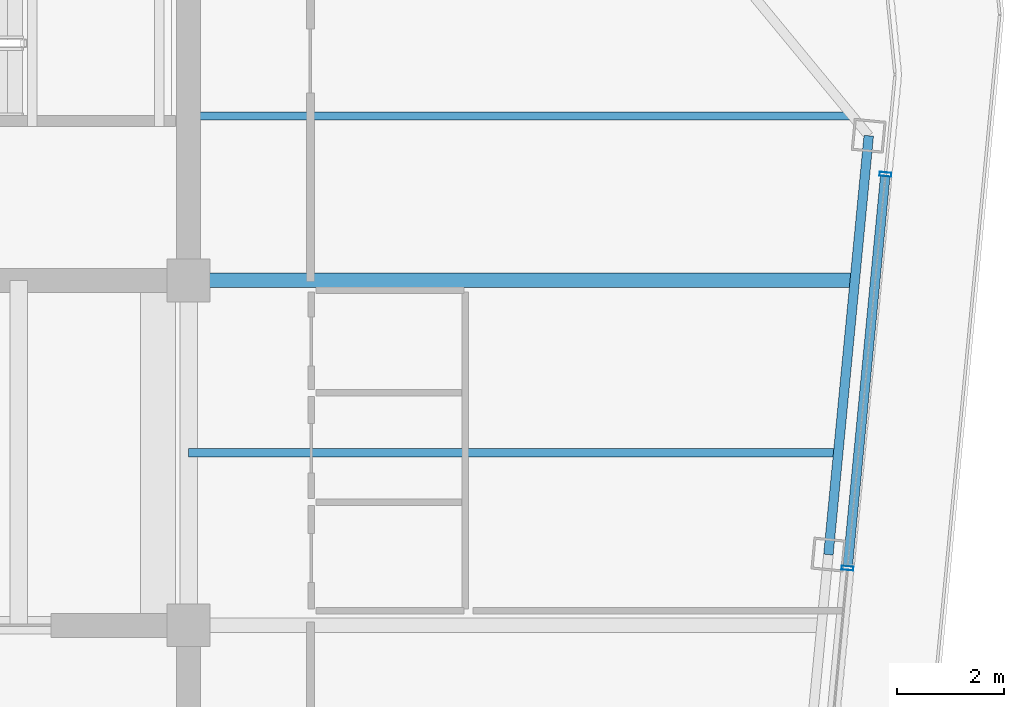
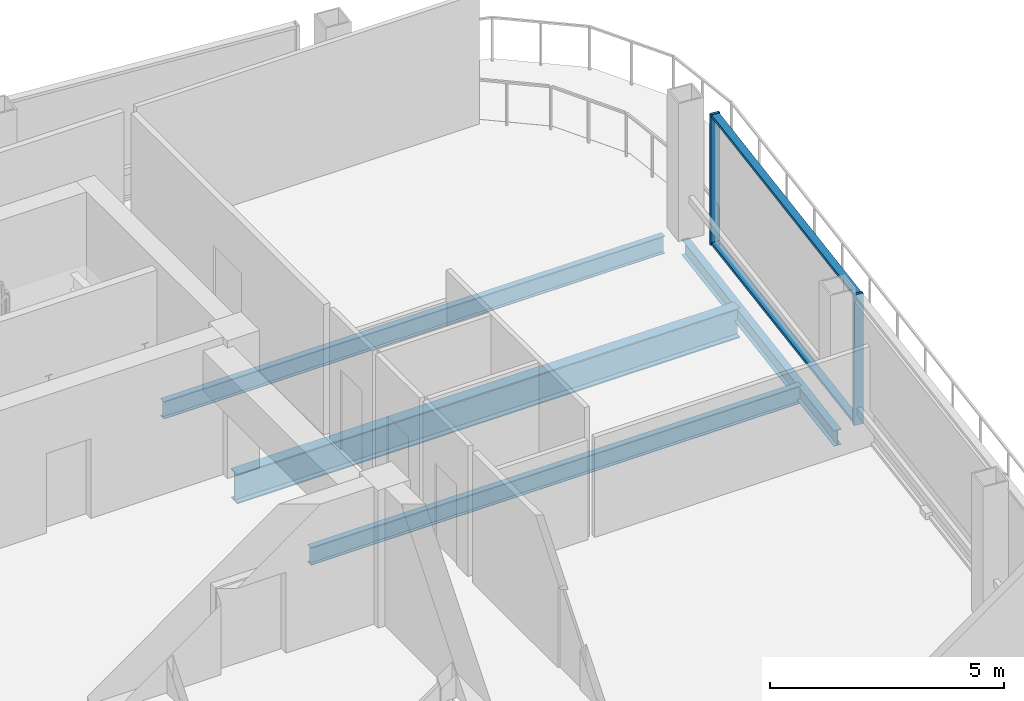
# One storey, part 10 of 23: 4 beams, 4 members, 1 element without a shape of its own.
"""IFC4 building model written with IfcOpenShell, lengths in metres."""

from ifc_helpers import new_model, si_unit, direction, frame, origin, origin_2d, place, context, subcontext, project, spatial, hollow_rectangle, i_section, extrude, material, layer, layer_set, material_profile, profile_set, type_object, element, aggregate, save


model = new_model("IFC4")

# Units and contexts
model_context = context("Model", 3, precision=1e-05, world=origin(), true_north=direction((0.0, 1.0)))
body_context = subcontext(model_context, "Body", "Model", "MODEL_VIEW")
ifc_project = project(units=[si_unit("LENGTHUNIT", "METRE"), si_unit("AREAUNIT", "SQUARE_METRE"), si_unit("VOLUMEUNIT", "CUBIC_METRE"), si_unit("PLANEANGLEUNIT", "RADIAN"), si_unit("MASSUNIT", "GRAM", prefix="KILO")], contexts=[model_context])

# Site, building, storey
site_placement = place(None, origin())
site = spatial("IfcSite", under=ifc_project, at=site_placement, CompositionType="ELEMENT")
building_placement = place(site_placement, origin())
building = spatial("IfcBuilding", under=site, at=building_placement, Name="Qhalaya Broadcast Tower", CompositionType="ELEMENT")
storey_placement = place(building_placement, frame((0.0, 0.0, 276.949951171875)))
storey = spatial("IfcBuildingStorey", under=building, at=storey_placement, Name="L82", CompositionType="ELEMENT", Elevation=276.949951171875)

# Beams
ifc_material_1 = material(Name="Structural Steel ASTM A992 Grade 50", Category="steel")
ifc_material_profile_1 = material_profile(ifc_material_1, i_section(OverallWidth=0.154052734375, OverallDepth=0.458984375, WebThickness=0.009033203125, FlangeThickness=0.015380859375, at=origin_2d()), Name="W18X46")
ifc_profile_set_1 = profile_set([ifc_material_profile_1], Name="Structural Steel ASTM A992 Grade 50")
beam_type_1 = type_object("IfcBeamType", Name="Composite Floor Joist J04", PredefinedType="JOIST", material=ifc_profile_set_1)
beam_1_placement = place(storey_placement, frame((9.375, 0.60009765625, -0.41943359375), z_axis=(1.0, 0.0, 0.0), x_axis=(0.0, 1.0, 0.0)))
element("IfcBeam", 1, at=beam_1_placement, inside=storey, type_object=beam_type_1, Name="L82 J04 L82-JWE4E-1", PredefinedType="JOIST", context=body_context, shape_type="SweptSolid", body=[
    extrude(i_section(OverallWidth=0.154052734375, OverallDepth=0.458984375, WebThickness=0.009033203125, FlangeThickness=0.015380859375, at=origin_2d()), origin(), (0.0, 0.0, 1.0), 12.12451171875),
])
beam_2_placement = place(storey_placement, frame((9.375, 6.89990234375, -0.41943359375), z_axis=(1.0, 0.0, 0.0), x_axis=(0.0, 1.0, 0.0)))
element("IfcBeam", 2, at=beam_2_placement, inside=storey, type_object=beam_type_1, Name="L82 J04 L82-JWE5E-1", PredefinedType="JOIST", context=body_context, shape_type="SweptSolid", body=[
    extrude(i_section(OverallWidth=0.154052734375, OverallDepth=0.458984375, WebThickness=0.009033203125, FlangeThickness=0.015380859375, at=origin_2d()), origin(), (0.0, 0.0, 1.0), 12.38330078125),
])
ifc_material_profile_2 = material_profile(ifc_material_1, i_section(OverallWidth=0.26708984375, OverallDepth=0.780029296875, WebThickness=0.0166015625, FlangeThickness=0.030029296875, at=origin_2d()), Name="W30X148")
ifc_profile_set_2 = profile_set([ifc_material_profile_2], Name="Structural Steel ASTM A992 Grade 50")
beam_type_2 = type_object("IfcBeamType", Name="Neck & Crown Primary Girder PG5", PredefinedType="USERDEFINED", material=ifc_profile_set_2)
beam_3_placement = place(storey_placement, frame((9.375, 3.824951171875, -0.579833984375), z_axis=(1.0, 0.0, 0.0), x_axis=(0.0, 1.0, 0.0)))
element("IfcBeam", 3, at=beam_3_placement, inside=storey, type_object=beam_type_2, Name="L82 PG5 L82-PGYE3-1", ObjectType="GIRDER", PredefinedType="USERDEFINED", context=body_context, shape_type="SweptSolid", body=[
    extrude(i_section(OverallWidth=0.26708984375, OverallDepth=0.780029296875, WebThickness=0.0166015625, FlangeThickness=0.030029296875, at=origin_2d()), origin(), (0.0, 0.0, 1.0), 12.43505859375),
])

# Curtain wall, members
ifc_material_2 = material(Name="Solar-Control Low-E Triple Glazing", Category="glass")
ifc_layer = layer(ifc_material_2, 0.219970703125, Name="Solar-Control Low-E Triple Glazing")
ifc_layer_set = layer_set([ifc_layer], Name="Solar-Control Low-E Triple Glazing")
curtain_wall_type = type_object("IfcCurtainWallType", Name="Crown Garden & Observation Windscreen Curtain Wall CW-06", PredefinedType="NOTDEFINED", material=ifc_layer_set)
curtain_wall_placement = place(storey_placement, origin())
curtain_wall = element("IfcCurtainWall", 4, at=curtain_wall_placement, inside=storey, type_object=curtain_wall_type, Name="L82 Unitised Curtain Wall L82-CW-E", PredefinedType="NOTDEFINED")
ifc_material_3 = material(Name="Anodised Aluminium 6063-T6", Category="aluminium")
ifc_material_profile_3 = material_profile(ifc_material_3, hollow_rectangle(XDim=0.074951171875, YDim=0.219970703125, WallThickness=0.00390625, at=origin_2d()), Name="ALU-MUL 75x220x4")
ifc_profile_set_3 = profile_set([ifc_material_profile_3], Name="Anodised Aluminium 6063-T6")
member_type_1 = type_object("IfcMemberType", Name="Unitised Curtain-Wall Mullion M01", PredefinedType="MULLION", material=ifc_profile_set_3)
member_1_placement = place(storey_placement, frame((21.69384765625, -1.55419921875, 0.0), z_axis=(0.0, 0.0, 1.0), x_axis=(0.095847667974, 0.995396013928, 0.0)))
member_1 = element("IfcMember", 5, at=member_1_placement, type_object=member_type_1, Name="CW-06 mullion 3", PredefinedType="MULLION", context=body_context, shape_type="SweptSolid", body=[
    extrude(hollow_rectangle(XDim=0.074951171875, YDim=0.219970703125, WallThickness=0.00390625, at=origin_2d()), origin(), (0.0, 0.0, 1.0), 3.41015625),
])
member_2_placement = place(storey_placement, frame((22.40283203125, 5.8076171875, 0.0), z_axis=(0.0, 0.0, 1.0), x_axis=(0.095847667974, 0.995396013928, 0.0)))
member_2 = element("IfcMember", 6, at=member_2_placement, type_object=member_type_1, Name="CW-06 mullion 4", PredefinedType="MULLION", context=body_context, shape_type="SweptSolid", body=[
    extrude(hollow_rectangle(XDim=0.074951171875, YDim=0.219970703125, WallThickness=0.00390625, at=origin_2d()), origin(), (0.0, 0.0, 1.0), 3.41015625),
])
ifc_material_profile_4 = material_profile(ifc_material_3, hollow_rectangle(XDim=0.074951171875, YDim=0.179931640625, WallThickness=0.00390625, at=origin_2d()), Name="ALU-TRN 75x180x4")
ifc_profile_set_4 = profile_set([ifc_material_profile_4], Name="Anodised Aluminium 6063-T6")
member_type_2 = type_object("IfcMemberType", Name="Unitised Curtain-Wall Transom T01", PredefinedType="USERDEFINED", material=ifc_profile_set_4)
member_3_placement = place(storey_placement, frame((21.697509765625, -1.516845703125, 0.03759765625), z_axis=(0.095844579162, 0.995396311348, 0.0), x_axis=(0.0, 0.0, 1.0)))
member_3 = element("IfcMember", 7, at=member_3_placement, type_object=member_type_2, Name="CW-06 transom 3.1", ObjectType="TRANSOM", PredefinedType="USERDEFINED", context=body_context, shape_type="SweptSolid", body=[
    extrude(hollow_rectangle(XDim=0.074951171875, YDim=0.179931640625, WallThickness=0.00390625, at=origin_2d()), origin(), (0.0, 0.0, 1.0), 7.32080078125),
])
member_4_placement = place(storey_placement, frame((21.697509765625, -1.516845703125, 3.37255859375), z_axis=(0.095844579162, 0.995396311348, 0.0), x_axis=(0.0, 0.0, 1.0)))
member_4 = element("IfcMember", 8, at=member_4_placement, type_object=member_type_2, Name="CW-06 transom 3.2", ObjectType="TRANSOM", PredefinedType="USERDEFINED", context=body_context, shape_type="SweptSolid", body=[
    extrude(hollow_rectangle(XDim=0.074951171875, YDim=0.179931640625, WallThickness=0.00390625, at=origin_2d()), origin(), (0.0, 0.0, 1.0), 7.32080078125),
])
aggregate(curtain_wall, [member_1, member_2, member_3, member_4])

# Beam
ifc_material_profile_5 = material_profile(ifc_material_1, i_section(OverallWidth=0.177978515625, OverallDepth=0.406005859375, WebThickness=0.0078125, FlangeThickness=0.0126953125, at=origin_2d()), Name="W16X40")
ifc_profile_set_5 = profile_set([ifc_material_profile_5], Name="Structural Steel ASTM A992 Grade 50")
beam_type_3 = type_object("IfcBeamType", Name="Upper Perimeter Spandrel Beam SP2", PredefinedType="SPANDREL", material=ifc_profile_set_5)
beam_4_placement = place(storey_placement, frame((21.33642578125, -1.302001953125, -0.39306640625), z_axis=(0.095837184179, 0.995397023367, 0.0), x_axis=(-0.995397023367, 0.095837184179, 0.0)))
element("IfcBeam", 9, at=beam_4_placement, inside=storey, type_object=beam_type_3, Name="L82 SP2 L82-SPR-07", PredefinedType="SPANDREL", context=body_context, shape_type="SweptSolid", body=[
    extrude(i_section(OverallWidth=0.177978515625, OverallDepth=0.406005859375, WebThickness=0.0078125, FlangeThickness=0.0126953125, at=origin_2d()), origin(), (0.0, 0.0, 1.0), 7.866455078125),
])

save(model, "model.ifc")
